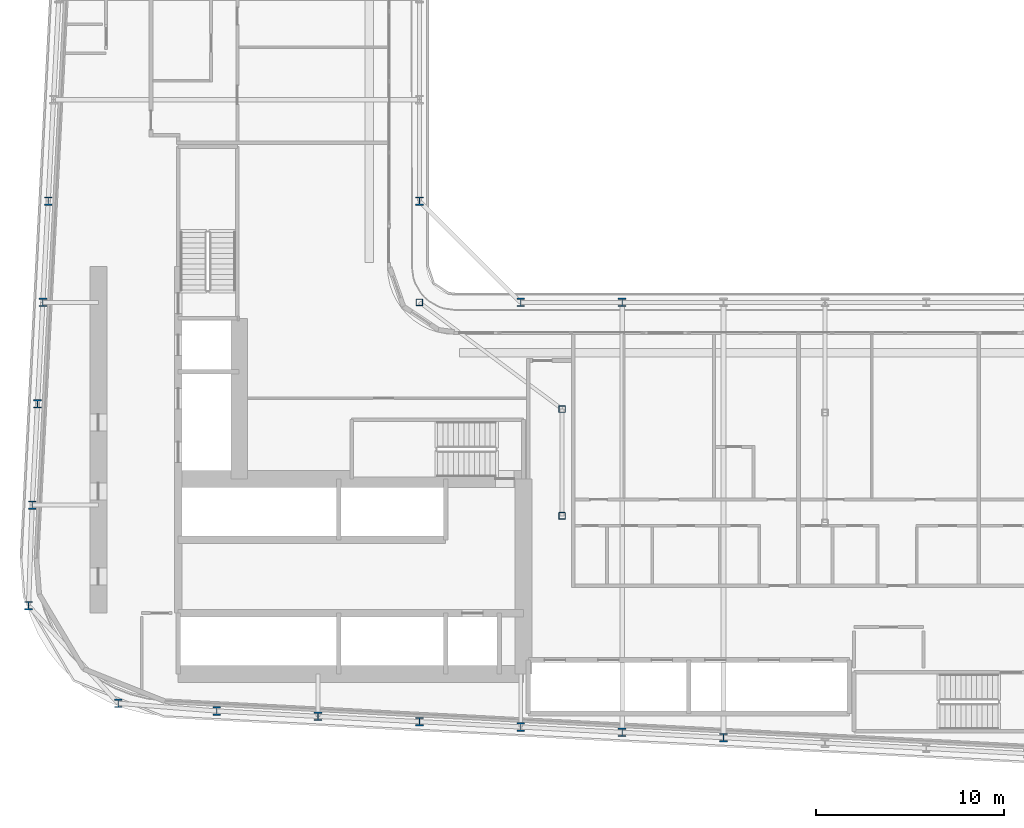
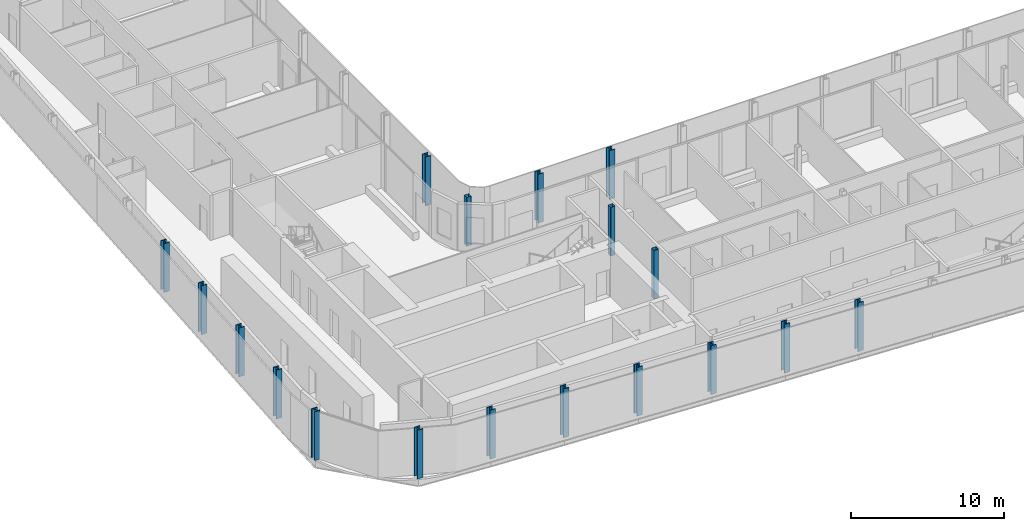
# One storey, part 1 of 27: 18 columns.
"""IFC4 building model written with IfcOpenShell, lengths in metres."""

from ifc_helpers import new_model, si_unit, direction, frame, origin, origin_2d, place, context, subcontext, project, spatial, hollow_rectangle, i_section, extrude, material, material_profile, profile_set, type_object, element, save


model = new_model("IFC4")

# Units and contexts
model_context = context("Model", 3, precision=1e-05, world=origin(), true_north=direction((0.0, 1.0)))
body_context = subcontext(model_context, "Body", "Model", "MODEL_VIEW")
ifc_project = project(units=[si_unit("LENGTHUNIT", "METRE"), si_unit("AREAUNIT", "SQUARE_METRE"), si_unit("VOLUMEUNIT", "CUBIC_METRE"), si_unit("PLANEANGLEUNIT", "RADIAN"), si_unit("MASSUNIT", "GRAM", prefix="KILO")], contexts=[model_context])

# Site, building, storey
site_placement = place(None, origin())
site = spatial("IfcSite", under=ifc_project, at=site_placement, CompositionType="ELEMENT")
building_placement = place(site_placement, origin())
building = spatial("IfcBuilding", under=site, at=building_placement, Name="Kheshtan School and Residences Tower", CompositionType="ELEMENT")
storey_placement = place(building_placement, frame((0.0, 0.0, 101.89990234375)))
storey = spatial("IfcBuildingStorey", under=building, at=storey_placement, Name="L23", CompositionType="ELEMENT", Elevation=101.89990234375)

# Columns
ifc_material_1 = material(Name="Steel ASTM A992 Grade 50", Category="steel")
ifc_material_profile_1 = material_profile(ifc_material_1, i_section(OverallWidth=0.41796875, OverallDepth=0.455078125, WebThickness=0.042236328125, FlangeThickness=0.067626953125, FilletRadius=0.013671875, at=origin_2d()), Name="W360x551")
ifc_profile_set_1 = profile_set([ifc_material_profile_1], Name="Steel ASTM A992 Grade 50")
column_type_1 = type_object("IfcColumnType", Name="Column C2 W360x551 ASTM A992 Grade 50", PredefinedType="COLUMN", material=ifc_profile_set_1)
for number, where, z_axis, x_axis, name in (
    (1, (63.800048828125, 22.410888671875, 0.0), (0.0, 0.0, 1.0), (1.0, 0.0, 0.0), "Column C016"),
    (2, (58.39990234375, 22.695068359375, 0.0), (0.0, 0.0, 1.0), (1.0, 0.0, 0.0), "Column C018"),
    (3, (53.0, 22.97998046875, 0.0), (0.0, 0.0, 1.0), (1.0, 0.0, 0.0), "Column C019"),
    (4, (47.60009765625, 23.263916015625, 0.0), (0.0, 0.0, 1.0), (1.0, 0.0, 0.0), "Column C020"),
    (5, (42.199951171875, 23.548095703125, 0.0), (0.0, 0.0, 1.0), (1.0, 0.0, 0.0), "Column C021"),
    (6, (36.800048828125, 23.83203125, 0.0), (0.0, 0.0, 1.0), (1.0, 0.0, 0.0), "Column C022"),
    (7, (31.554931640625, 24.241943359375, 0.0), (0.0, 0.0, 1.0), (1.0, 0.0, 0.0), "Column C023"),
    (8, (26.77392578125, 29.445068359375, 0.0), (0.0, 0.0, 1.0), (1.0, 0.0, 0.0), "Column C036"),
    (9, (26.968994140625, 34.800048828125, 0.0), (0.0, 0.0, 1.0), (1.0, 0.0, 0.0), "Column C052"),
    (10, (27.2529296875, 40.199951171875, 0.0), (0.0, 0.0, 1.0), (1.0, 0.0, 0.0), "Column C056"),
    (11, (27.537109375, 45.60009765625, 0.0), (0.0, 0.0, 1.0), (1.0, 0.0, 0.0), "Column C059"),
    (12, (53.0, 45.60009765625, 0.0), (0.0, 0.0, 1.0), (1.0, 0.0, 0.0), "Column C061"),
    (13, (58.39990234375, 45.60009765625, 0.0), (0.0, 0.0, 1.0), (1.0, 0.0, 0.0), "Column C062"),
    (14, (27.822021484375, 51.0, 0.0), (0.0, 0.0, 1.0), (1.0, 0.0, 0.0), "Column C078"),
    (15, (47.60009765625, 51.0, 0.0), (0.0, 0.0, 1.0), (1.0, 0.0, 0.0), "Column C079"),
):
    element("IfcColumn", number, at=place(storey_placement, frame(where, z_axis=z_axis, x_axis=x_axis)), inside=storey, type_object=column_type_1, Name=name, PredefinedType="COLUMN", context=body_context, shape_type="SweptSolid", body=[
        extrude(i_section(OverallWidth=0.41796875, OverallDepth=0.455078125, WebThickness=0.042236328125, FlangeThickness=0.067626953125, FilletRadius=0.013671875, at=origin_2d()), origin(), (0.0, 0.0, 1.0), 3.900146484375),
    ])
ifc_material_2 = material(Name="Steel ASTM A500 Grade C", Category="steel")
ifc_material_profile_2 = material_profile(ifc_material_2, hollow_rectangle(XDim=0.35595703125, YDim=0.35595703125, WallThickness=0.015869140625, InnerFilletRadius=0.015869140625, OuterFilletRadius=0.03173828125, at=origin_2d()), Name="HSS 356x356x15.9")
ifc_profile_set_2 = profile_set([ifc_material_profile_2], Name="Steel ASTM A500 Grade C")
column_type_2 = type_object("IfcColumnType", Name="Column IC1 HSS 356x356x15.9 ASTM A500 Grade C", PredefinedType="COLUMN", material=ifc_profile_set_2)
for number, where, z_axis, x_axis, name in (
    (16, (55.199951171875, 34.23193359375, 0.0), (0.0, 0.0, 1.0), (1.0, 0.0, 0.0), "Column C051"),
    (17, (55.199951171875, 39.916015625, 0.0), (0.0, 0.0, 1.0), (1.0, 0.0, 0.0), "Column C055"),
    (18, (47.60009765625, 45.60009765625, 0.0), (0.0, 0.0, 1.0), (1.0, 0.0, 0.0), "Column C060"),
):
    element("IfcColumn", number, at=place(storey_placement, frame(where, z_axis=z_axis, x_axis=x_axis)), inside=storey, type_object=column_type_2, Name=name, PredefinedType="COLUMN", context=body_context, shape_type="SweptSolid", body=[
        extrude(hollow_rectangle(XDim=0.35595703125, YDim=0.35595703125, WallThickness=0.015869140625, InnerFilletRadius=0.015869140625, OuterFilletRadius=0.03173828125, at=origin_2d()), origin(), (0.0, 0.0, 1.0), 3.900146484375),
    ])

save(model, "model.ifc")
